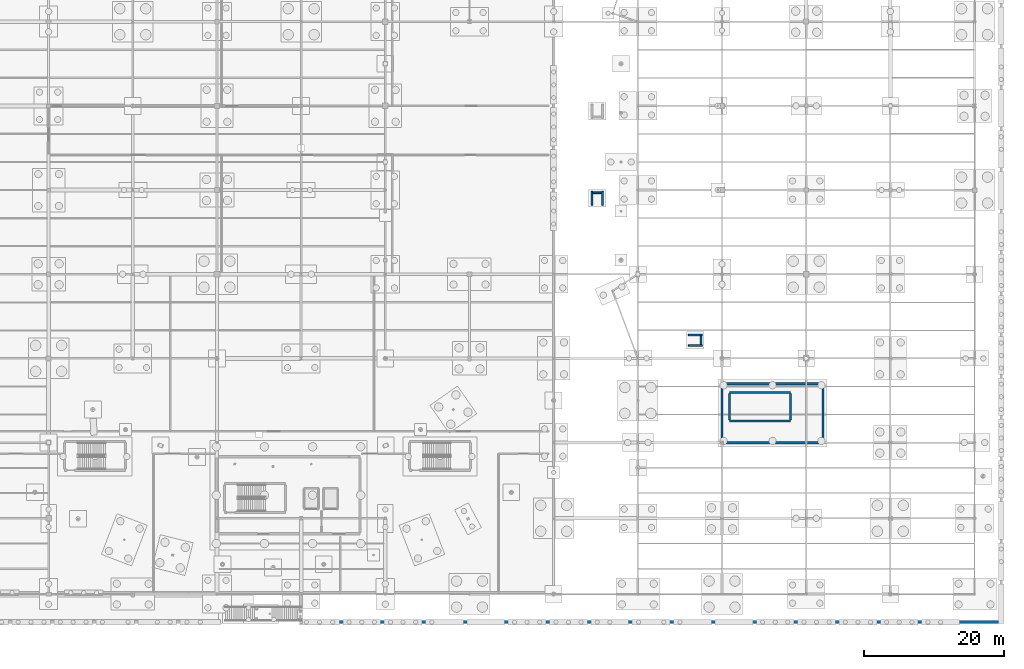
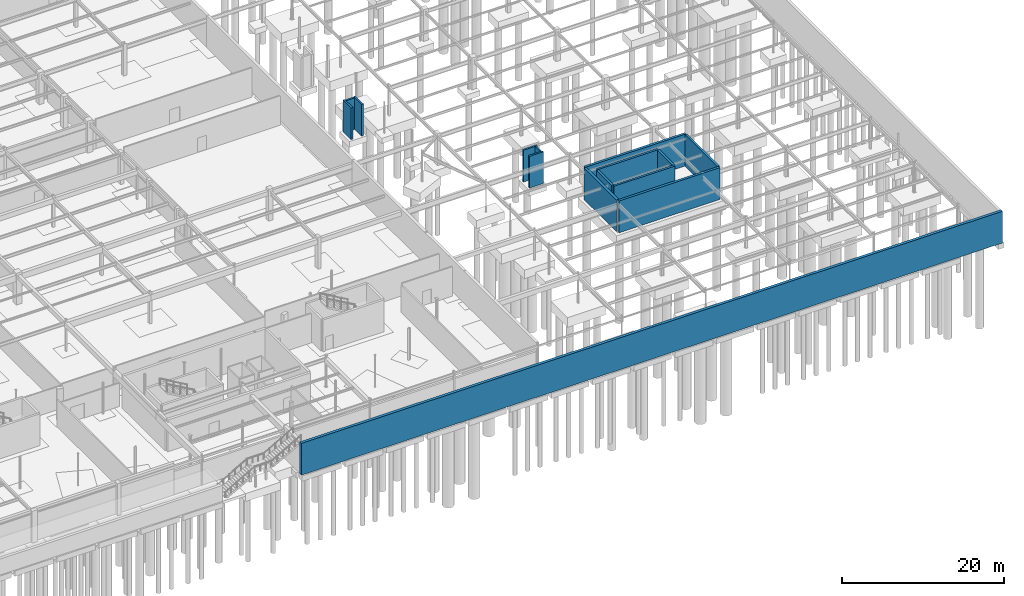
# One storey, part 124 of 136: 15 walls.
"""IFC4 building model written with IfcOpenShell, lengths in metres."""

from ifc_helpers import new_model, si_unit, direction, frame, frame_2d, origin, place, context, subcontext, project, spatial, rectangle, extrude, material, layer, layer_set, type_object, element, save


model = new_model("IFC4")

# Units and contexts
model_context = context("Model", 3, precision=1e-05, world=origin(), true_north=direction((0.0, 1.0)))
body_context = subcontext(model_context, "Body", "Model", "MODEL_VIEW")
ifc_project = project(units=[si_unit("LENGTHUNIT", "METRE"), si_unit("AREAUNIT", "SQUARE_METRE"), si_unit("VOLUMEUNIT", "CUBIC_METRE"), si_unit("PLANEANGLEUNIT", "RADIAN"), si_unit("MASSUNIT", "GRAM", prefix="KILO")], contexts=[model_context])

# Site, building, storey
site_placement = place(None, origin())
site = spatial("IfcSite", under=ifc_project, at=site_placement, CompositionType="ELEMENT")
building_placement = place(site_placement, origin())
building = spatial("IfcBuilding", under=site, at=building_placement, Name="Tarnwether General Hospital", CompositionType="ELEMENT")
storey_placement = place(building_placement, frame((0.0, 0.0, -4.800048828125)))
storey = spatial("IfcBuildingStorey", under=building, at=storey_placement, Name="LG", CompositionType="ELEMENT", Elevation=-4.800048828125)

# Walls
ifc_material_1 = material(Name="Concrete 40 MPa", Category="concrete")
ifc_layer_1 = layer(ifc_material_1, 0.39990234375)
ifc_layer_set_1 = layer_set([ifc_layer_1], Name="Concrete 40 MPa")
wall_type_1 = type_object("IfcWallType", Name="WL-RW400", PredefinedType="USERDEFINED", material=ifc_layer_set_1)
wall_1_placement = place(storey_placement, frame((95.800048828125, -4.0, 0.0), z_axis=(0.0, 0.0, 1.0), x_axis=(1.0, 0.0, 0.0)))
element("IfcWall", 1, at=wall_1_placement, inside=storey, type_object=wall_type_1, Name="Scarp Retaining Wall RW-PLINTH-SE", ObjectType="RETAINING", PredefinedType="USERDEFINED", context=body_context, shape_type="SweptSolid", body=[
    extrude(rectangle(XDim=100.199951171875, YDim=0.39990234375, at=frame_2d((50.10009765625, 0.0))), origin(), (0.0, 0.0, 1.0), 4.800048828125),
])
ifc_material_2 = material(Name="Concrete 50 MPa", Category="concrete")
ifc_layer_2 = layer(ifc_material_2, 0.25)
ifc_layer_set_2 = layer_set([ifc_layer_2], Name="Concrete 50 MPa")
wall_type_2 = type_object("IfcWallType", Name="WL-SW250", PredefinedType="SHEAR", material=ifc_layer_set_2)
for number, where, z_axis, x_axis, name in (
    (2, (138.949951171875, 55.39990234375, 0.0), (0.0, 0.0, 1.0), (0.0, 1.0, 0.0), "Feature Stair Sub-Scarp Pier Wall ST-11 L"),
    (3, (137.449951171875, 55.39990234375, 0.0), (0.0, 0.0, 1.0), (0.0, 1.0, 0.0), "Feature Stair Sub-Scarp Pier Wall ST-11 R"),
):
    element("IfcWall", number, at=place(storey_placement, frame(where, z_axis=z_axis, x_axis=x_axis)), inside=storey, type_object=wall_type_2, Name=name, PredefinedType="SHEAR", context=body_context, shape_type="SweptSolid", body=[
        extrude(rectangle(XDim=2.0, YDim=0.25, at=frame_2d((1.0, 0.0))), origin(), (0.0, 0.0, 1.0), 4.800048828125),
    ])
wall_2_placement = place(storey_placement, frame((138.800048828125, 57.199951171875, 0.0), z_axis=(0.0, 0.0, 1.0), x_axis=(-1.0, 0.0, 0.0)))
element("IfcWall", 4, at=wall_2_placement, inside=storey, type_object=wall_type_2, Name="Feature Stair Sub-Scarp Pier Wall ST-11 M", PredefinedType="SHEAR", context=body_context, shape_type="SweptSolid", body=[
    extrude(rectangle(XDim=1.199951171875, YDim=0.25, at=frame_2d((0.60009765625, 0.0))), origin(), (0.0, 0.0, 1.0), 4.800048828125),
])
for number, where, z_axis, x_axis, name in (
    (5, (151.199951171875, 35.449951171875, 0.0), (0.0, 0.0, 1.0), (1.0, 0.0, 0.0), "Feature Stair Sub-Scarp Pier Wall ST-13 L"),
    (6, (151.199951171875, 36.949951171875, 0.0), (0.0, 0.0, 1.0), (1.0, 0.0, 0.0), "Feature Stair Sub-Scarp Pier Wall ST-13 R"),
):
    element("IfcWall", number, at=place(storey_placement, frame(where, z_axis=z_axis, x_axis=x_axis)), inside=storey, type_object=wall_type_2, Name=name, PredefinedType="SHEAR", context=body_context, shape_type="SweptSolid", body=[
        extrude(rectangle(XDim=2.0, YDim=0.25, at=frame_2d((1.0, 0.0))), origin(), (0.0, 0.0, 1.0), 4.800048828125),
    ])
wall_3_placement = place(storey_placement, frame((153.0, 35.60009765625, 0.0), z_axis=(0.0, 0.0, 1.0), x_axis=(0.0, 1.0, 0.0)))
element("IfcWall", 7, at=wall_3_placement, inside=storey, type_object=wall_type_2, Name="Feature Stair Sub-Scarp Pier Wall ST-13 M", PredefinedType="SHEAR", context=body_context, shape_type="SweptSolid", body=[
    extrude(rectangle(XDim=1.199951171875, YDim=0.25, at=frame_2d((0.60009765625, 0.0))), origin(), (0.0, 0.0, 1.0), 4.800048828125),
])
ifc_material_3 = material(Name="Concrete 50 MPa", Category="concrete")
ifc_layer_3 = layer(ifc_material_3, 0.300048828125)
ifc_layer_set_3 = layer_set([ifc_layer_3], Name="Concrete 50 MPa")
wall_type_3 = type_object("IfcWallType", Name="WL-SW300", PredefinedType="SHEAR", material=ifc_layer_set_3)
wall_4_placement = place(storey_placement, frame((170.39990234375, 29.800048828125, 0.0), z_axis=(0.0, 0.0, 1.0), x_axis=(0.0, -1.0, 0.0)))
element("IfcWall", 8, at=wall_4_placement, inside=storey, type_object=wall_type_3, Name="Core Shear Wall CWALL-K5-LG-E", PredefinedType="SHEAR", context=body_context, shape_type="SweptSolid", body=[
    extrude(rectangle(XDim=8.0, YDim=0.300048828125, at=frame_2d((4.0, 0.0))), origin(), (0.0, 0.0, 1.0), 4.800048828125),
])
for number, where, z_axis, x_axis, name in (
    (9, (157.050048828125, 24.64990234375, 0.0), (0.0, 0.0, 1.0), (1.0, 0.0, 0.0), "Stairwell Shear Wall STW-ST-05-LG-B"),
    (10, (165.75, 28.75, 0.0), (0.0, 0.0, 1.0), (-1.0, 0.0, 0.0), "Stairwell Shear Wall STW-ST-05-LG-N"),
):
    element("IfcWall", number, at=place(storey_placement, frame(where, z_axis=z_axis, x_axis=x_axis)), inside=storey, type_object=wall_type_3, Name=name, PredefinedType="SHEAR", context=body_context, shape_type="SweptSolid", body=[
        extrude(rectangle(XDim=8.699951171875, YDim=0.300048828125, at=frame_2d((4.35009765625, 0.0))), origin(), (0.0, 0.0, 1.0), 4.800048828125),
    ])
for number, where, z_axis, x_axis, name in (
    (11, (157.050048828125, 24.820068359375, 0.0), (0.0, 0.0, 1.0), (0.0, 1.0, 0.0), "Stairwell Shear Wall STW-ST-05-LG-L"),
    (12, (165.75, 24.820068359375, 0.0), (0.0, 0.0, 1.0), (0.0, 1.0, 0.0), "Stairwell Shear Wall STW-ST-05-LG-F"),
):
    element("IfcWall", number, at=place(storey_placement, frame(where, z_axis=z_axis, x_axis=x_axis)), inside=storey, type_object=wall_type_3, Name=name, PredefinedType="SHEAR", context=body_context, shape_type="SweptSolid", body=[
        extrude(rectangle(XDim=3.760009765625, YDim=0.300048828125, at=frame_2d((1.8798828125, 0.0))), origin(), (0.0, 0.0, 1.0), 4.800048828125),
    ])
ifc_material_4 = material(Name="Concrete 50 MPa", Category="concrete")
ifc_layer_4 = layer(ifc_material_4, 0.35009765625)
ifc_layer_set_4 = layer_set([ifc_layer_4], Name="Concrete 50 MPa")
wall_type_4 = type_object("IfcWallType", Name="WL-SW350", PredefinedType="SHEAR", material=ifc_layer_set_4)
for number, where, z_axis, x_axis, name in (
    (13, (156.0, 30.0, 0.0), (0.0, 0.0, 1.0), (1.0, 0.0, 0.0), "Core Shear Wall CWALL-K5-LG-N"),
    (14, (170.39990234375, 21.60009765625, 0.0), (0.0, 0.0, 1.0), (-1.0, 0.0, 0.0), "Core Shear Wall CWALL-K5-LG-S"),
):
    element("IfcWall", number, at=place(storey_placement, frame(where, z_axis=z_axis, x_axis=x_axis)), inside=storey, type_object=wall_type_4, Name=name, PredefinedType="SHEAR", context=body_context, shape_type="SweptSolid", body=[
        extrude(rectangle(XDim=14.39990234375, YDim=0.35009765625, at=frame_2d((7.199951171875, 0.0))), origin(), (0.0, 0.0, 1.0), 4.800048828125),
    ])
wall_5_placement = place(storey_placement, frame((156.0, 21.800048828125, 0.0), z_axis=(0.0, 0.0, 1.0), x_axis=(0.0, 1.0, 0.0)))
element("IfcWall", 15, at=wall_5_placement, inside=storey, type_object=wall_type_4, Name="Core Shear Wall CWALL-K5-LG-W", PredefinedType="SHEAR", context=body_context, shape_type="SweptSolid", body=[
    extrude(rectangle(XDim=8.0, YDim=0.35009765625, at=frame_2d((4.0, 0.0))), origin(), (0.0, 0.0, 1.0), 4.800048828125),
])

save(model, "model.ifc")
